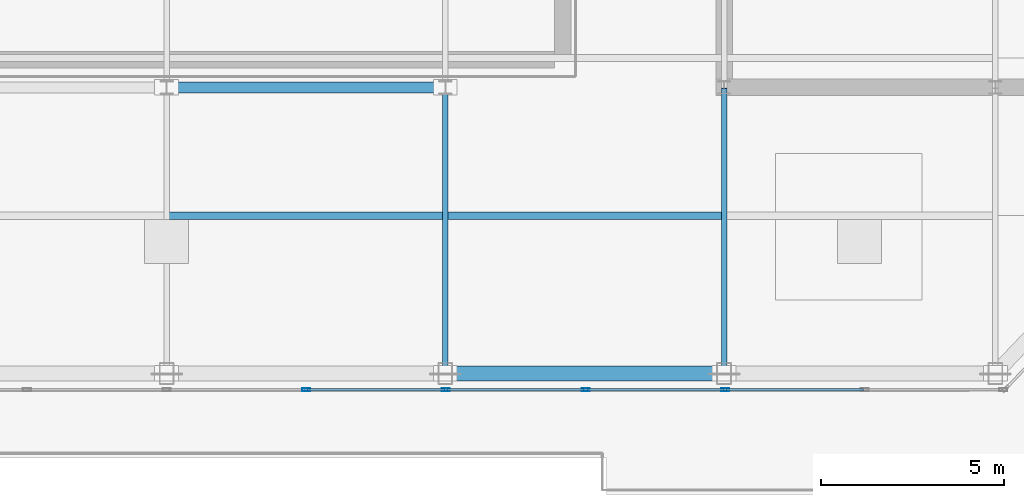
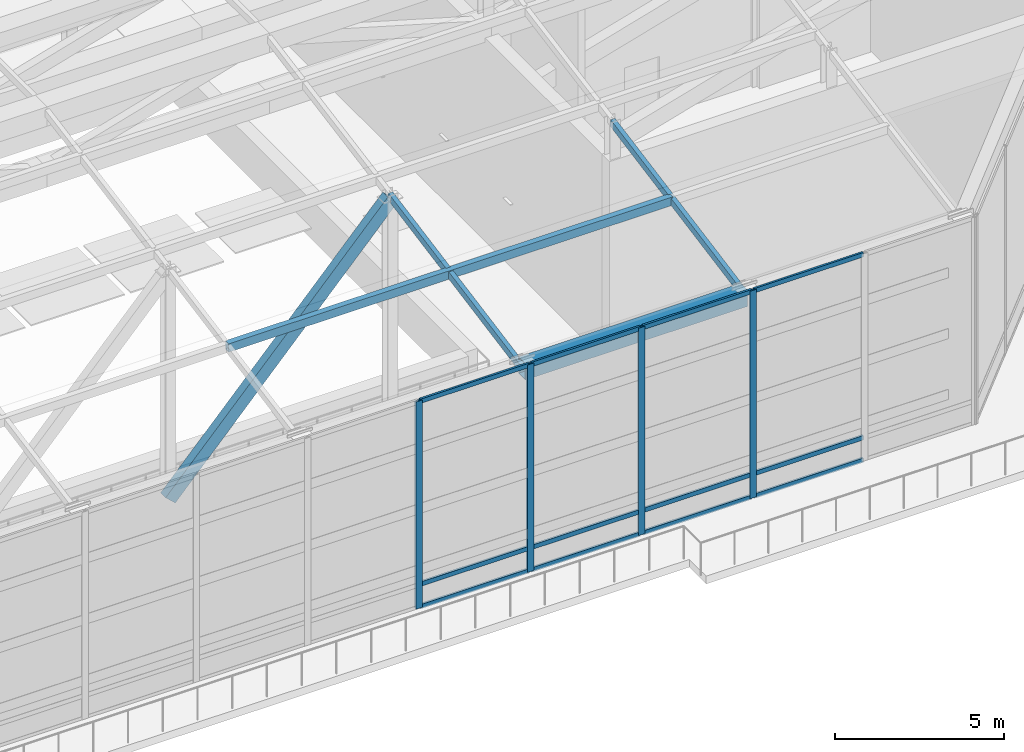
# One storey, part 10 of 25: 20 members, 1 beam, 1 element without a shape of its own.
"""IFC4 building model written with IfcOpenShell, lengths in metres."""

from ifc_helpers import new_model, si_unit, direction, frame, origin, origin_2d, place, context, subcontext, project, spatial, hollow_rectangle, extrude, source, transform, mapped, material, layer, layer_set, material_profile, profile_set, type_object, type_shapes, element, aggregate, save


model = new_model("IFC4")

# Units and contexts
model_context = context("Model", 3, precision=1e-05, world=origin(), true_north=direction((0.0, 1.0)))
body_context = subcontext(model_context, "Body", "Model", "MODEL_VIEW")
ifc_project = project(units=[si_unit("LENGTHUNIT", "METRE"), si_unit("AREAUNIT", "SQUARE_METRE"), si_unit("VOLUMEUNIT", "CUBIC_METRE"), si_unit("PLANEANGLEUNIT", "RADIAN"), si_unit("MASSUNIT", "GRAM", prefix="KILO")], contexts=[model_context])

# Site, building, storey
site_placement = place(None, origin())
site = spatial("IfcSite", under=ifc_project, at=site_placement, CompositionType="ELEMENT")
building_placement = place(site_placement, origin())
building = spatial("IfcBuilding", under=site, at=building_placement, Name="Haelvirn Gate Laboratories", CompositionType="ELEMENT")
storey_placement = place(building_placement, frame((0.0, 0.0, 337.800048828125)))
storey = spatial("IfcBuildingStorey", under=building, at=storey_placement, Name="RF", CompositionType="ELEMENT", Elevation=337.800048828125)

# Beam
ifc_material_1 = material(Name="Steel SM420", Category="steel")
ifc_material_profile_1 = material_profile(ifc_material_1, hollow_rectangle(XDim=0.39990234375, YDim=0.60009765625, WallThickness=0.02490234375, at=origin_2d()), Name="BOX-600x400x25")
ifc_profile_set_1 = profile_set([ifc_material_profile_1], Name="Steel SM420")
beam_type = type_object("IfcBeamType", Name="BM-CROWN-CAP", PredefinedType="USERDEFINED", material=ifc_profile_set_1)
shared_shape_1 = source(origin(), body_context, "Body", "SweptSolid", [
    extrude(hollow_rectangle(XDim=0.39990234375, YDim=0.60009765625, WallThickness=0.02490234375, at=origin_2d()), origin(), (0.0, 0.0, 1.0), 7.60009765625),
])
type_shapes(beam_type, [shared_shape_1])
beam_placement = place(storey_placement, frame((45.0, 7.0, 7.050048828125), z_axis=(1.0, 0.0, 0.0), x_axis=(0.0, 1.0, 0.0)))
element("IfcBeam", 1, at=beam_placement, inside=storey, type_object=beam_type, Name="RF Crown Frame Cap Ring Beam S5-S6", ObjectType="CROWN FRAME", PredefinedType="USERDEFINED", context=body_context, shape_type="MappedRepresentation", body=[
    mapped(shared_shape_1, transform((0.0, 0.0, 0.0), scale=1.0)),
])

# Members
ifc_material_profile_2 = material_profile(ifc_material_1, hollow_rectangle(XDim=0.300048828125, YDim=0.449951171875, WallThickness=0.02001953125, at=origin_2d()), Name="BOX-450x300x20")
ifc_profile_set_2 = profile_set([ifc_material_profile_2], Name="Steel SM420")
member_type_1 = type_object("IfcMemberType", Name="MEM-CROWN-BR", PredefinedType="USERDEFINED", material=ifc_profile_set_2)
shared_shape_2 = source(origin(), body_context, "Body", "SweptSolid", [
    extrude(hollow_rectangle(XDim=0.300048828125, YDim=0.449951171875, WallThickness=0.02001953125, at=origin_2d()), origin(), (0.0, 0.0, 1.0), 11.188720703125),
])
type_shapes(member_type_1, [shared_shape_2])
member_1_placement = place(storey_placement, frame((37.39990234375, 14.800048828125, 0.300048828125), z_axis=(0.679270956852, 0.0, 0.733887571211), x_axis=(0.0, 1.0, 0.0)))
element("IfcMember", 2, at=member_1_placement, inside=storey, type_object=member_type_1, Name="RF Crown Frame Interior Brace S2", ObjectType="CROWN FRAME", PredefinedType="USERDEFINED", context=body_context, shape_type="MappedRepresentation", body=[
    mapped(shared_shape_2, transform((0.0, 0.0, 0.0), scale=1.0)),
])
ifc_material_2 = material(Name="Steel SM355", Category="steel")
ifc_material_profile_3 = material_profile(ifc_material_2, hollow_rectangle(XDim=0.14990234375, YDim=0.25, WallThickness=0.010009765625, at=origin_2d()), Name="RHS-250x150x10")
ifc_profile_set_3 = profile_set([ifc_material_profile_3], Name="Steel SM355")
member_type_2 = type_object("IfcMemberType", Name="MEM-CROWN-RAF", PredefinedType="RAFTER", material=ifc_profile_set_3)
shared_shape_3 = source(origin(), body_context, "Body", "SweptSolid", [
    extrude(hollow_rectangle(XDim=0.14990234375, YDim=0.25, WallThickness=0.010009765625, at=origin_2d()), origin(), (0.0, 0.0, 1.0), 7.9375),
])
type_shapes(member_type_2, [shared_shape_3])
for number, where, z_axis, x_axis, name in (
    (3, (45.0, 7.0, 7.099853515625), (0.0, 0.982673493777, 0.185345096044), (-1.0, 0.0, 0.0), "RF Vault Rafter Chord X45.0-1"),
    (4, (52.60009765625, 7.0, 7.099853515625), (0.0, 0.982673493777, 0.185345096044), (-1.0, 0.0, 0.0), "RF Vault Rafter Chord X52.6-1"),
):
    element("IfcMember", number, at=place(storey_placement, frame(where, z_axis=z_axis, x_axis=x_axis)), inside=storey, type_object=member_type_2, Name=name, PredefinedType="RAFTER", context=body_context, shape_type="MappedRepresentation", body=[
        mapped(shared_shape_3, transform((0.0, 0.0, 0.0), scale=1.0)),
    ])
ifc_material_profile_4 = material_profile(ifc_material_2, hollow_rectangle(XDim=0.199951171875, YDim=0.300048828125, WallThickness=0.011962890625, at=origin_2d()), Name="RHS-300x200x12")
ifc_profile_set_4 = profile_set([ifc_material_profile_4], Name="Steel SM355")
member_type_3 = type_object("IfcMemberType", Name="MEM-ROOF-PURL", PredefinedType="PURLIN", material=ifc_profile_set_4)
shared_shape_4 = source(origin(), body_context, "Body", "SweptSolid", [
    extrude(hollow_rectangle(XDim=0.199951171875, YDim=0.300048828125, WallThickness=0.011962890625, at=origin_2d()), origin(), (0.0, 0.0, 1.0), 15.2001953125),
])
type_shapes(member_type_3, [shared_shape_4])
member_2_placement = place(storey_placement, frame((37.39990234375, 11.300048828125, 7.89990234375), z_axis=(1.0, 0.0, 0.0), x_axis=(0.0, 1.0, 0.0)))
element("IfcMember", 5, at=member_2_placement, inside=storey, type_object=member_type_3, Name="RF Vault Purlin 1 (37.4-52.6)", PredefinedType="PURLIN", context=body_context, shape_type="MappedRepresentation", body=[
    mapped(shared_shape_4, transform((0.0, 0.0, 0.0), scale=1.0)),
])

# Curtain wall, members
ifc_material_3 = material(Name="Anodised bronze unitised aluminium & triple low-E glass", Category="aluminium")
ifc_layer = layer(ifc_material_3, 0.19189453125, Name="CW-SYS-6")
ifc_layer_set = layer_set([ifc_layer], Name="Anodised bronze unitised aluminium & triple low-E glass")
curtain_wall_type = type_object("IfcCurtainWallType", Name="CW-SYS-6", PredefinedType="NOTDEFINED", material=ifc_layer_set)
curtain_wall_placement = place(storey_placement, origin())
curtain_wall = element("IfcCurtainWall", 6, at=curtain_wall_placement, inside=storey, type_object=curtain_wall_type, Name="RF Unitised Curtain Wall CW-RF-RING-00", PredefinedType="NOTDEFINED")
ifc_material_4 = material(Name="Extruded aluminium 6063-T6 (anodised bronze)", Category="aluminium")
ifc_material_profile_5 = material_profile(ifc_material_4, hollow_rectangle(XDim=0.080078125, YDim=0.219970703125, WallThickness=0.006103515625, at=origin_2d()), Name="CWM-220x80x6")
ifc_profile_set_5 = profile_set([ifc_material_profile_5], Name="Extruded aluminium 6063-T6 (anodised bronze)")
member_type_4 = type_object("IfcMemberType", Name="CWM-T220", PredefinedType="MULLION", material=ifc_profile_set_5)
shared_shape_5 = source(origin(), body_context, "Body", "SweptSolid", [
    extrude(hollow_rectangle(XDim=0.080078125, YDim=0.219970703125, WallThickness=0.006103515625, at=origin_2d()), origin(), (0.0, 0.0, 1.0), 7.5),
])
type_shapes(member_type_4, [shared_shape_5])
member_3_placement = place(storey_placement, frame((41.208251953125, 6.550048828125, 0.0), z_axis=(0.0, 0.0, 1.0), x_axis=(0.0, 1.0, 0.0)))
member_3 = element("IfcMember", 7, at=member_3_placement, type_object=member_type_4, Name="CW6 mullion 8", PredefinedType="MULLION", context=body_context, shape_type="MappedRepresentation", body=[
    mapped(shared_shape_5, transform((0.0, 0.0, 0.0), scale=1.0)),
])
member_4_placement = place(storey_placement, frame((45.0166015625, 6.550048828125, 0.0), z_axis=(0.0, 0.0, 1.0), x_axis=(0.0, 1.0, 0.0)))
member_4 = element("IfcMember", 8, at=member_4_placement, type_object=member_type_4, Name="CW6 mullion 9", PredefinedType="MULLION", context=body_context, shape_type="MappedRepresentation", body=[
    mapped(shared_shape_5, transform((0.0, 0.0, 0.0), scale=1.0)),
])
member_5_placement = place(storey_placement, frame((48.824951171875, 6.550048828125, 0.0), z_axis=(0.0, 0.0, 1.0), x_axis=(0.0, 1.0, 0.0)))
member_5 = element("IfcMember", 9, at=member_5_placement, type_object=member_type_4, Name="CW6 mullion 10", PredefinedType="MULLION", context=body_context, shape_type="MappedRepresentation", body=[
    mapped(shared_shape_5, transform((0.0, 0.0, 0.0), scale=1.0)),
])
member_6_placement = place(storey_placement, frame((52.63330078125, 6.550048828125, 0.0), z_axis=(0.0, 0.0, 1.0), x_axis=(0.0, 1.0, 0.0)))
member_6 = element("IfcMember", 10, at=member_6_placement, type_object=member_type_4, Name="CW6 mullion 11", PredefinedType="MULLION", context=body_context, shape_type="MappedRepresentation", body=[
    mapped(shared_shape_5, transform((0.0, 0.0, 0.0), scale=1.0)),
])
ifc_material_profile_6 = material_profile(ifc_material_4, hollow_rectangle(XDim=0.070068359375, YDim=0.159912109375, WallThickness=0.0048828125, at=origin_2d()), Name="CWT-160x70x5")
ifc_profile_set_6 = profile_set([ifc_material_profile_6], Name="Extruded aluminium 6063-T6 (anodised bronze)")
member_type_5 = type_object("IfcMemberType", Name="CWT-T160", PredefinedType="USERDEFINED", material=ifc_profile_set_6)
shared_shape_6 = source(origin(), body_context, "Body", "SweptSolid", [
    extrude(hollow_rectangle(XDim=0.070068359375, YDim=0.159912109375, WallThickness=0.0048828125, at=origin_2d()), origin(), (0.0, 0.0, 1.0), 3.728271484375),
])
type_shapes(member_type_5, [shared_shape_6])
member_7_placement = place(storey_placement, frame((41.248291015625, 6.550048828125, 0.034912109375), z_axis=(1.0, 0.0, 0.0), x_axis=(0.0, 1.0, 0.0)))
member_7 = element("IfcMember", 11, at=member_7_placement, type_object=member_type_5, Name="CW6 transom 8.1", ObjectType="TRANSOM", PredefinedType="USERDEFINED", context=body_context, shape_type="MappedRepresentation", body=[
    mapped(shared_shape_6, transform((0.0, 0.0, 0.0), scale=1.0)),
])
member_8_placement = place(storey_placement, frame((41.248291015625, 6.550048828125, 0.849853515625), z_axis=(1.0, 0.0, 0.0), x_axis=(0.0, 1.0, 0.0)))
member_8 = element("IfcMember", 12, at=member_8_placement, type_object=member_type_5, Name="CW6 transom 8.2", ObjectType="TRANSOM", PredefinedType="USERDEFINED", context=body_context, shape_type="MappedRepresentation", body=[
    mapped(shared_shape_6, transform((0.0, 0.0, 0.0), scale=1.0)),
])
member_9_placement = place(storey_placement, frame((41.248291015625, 6.550048828125, 7.46484375), z_axis=(1.0, 0.0, 0.0), x_axis=(0.0, 1.0, 0.0)))
member_9 = element("IfcMember", 13, at=member_9_placement, type_object=member_type_5, Name="CW6 transom 8.3", ObjectType="TRANSOM", PredefinedType="USERDEFINED", context=body_context, shape_type="MappedRepresentation", body=[
    mapped(shared_shape_6, transform((0.0, 0.0, 0.0), scale=1.0)),
])
member_10_placement = place(storey_placement, frame((45.056640625, 6.550048828125, 0.034912109375), z_axis=(1.0, 0.0, 0.0), x_axis=(0.0, 1.0, 0.0)))
member_10 = element("IfcMember", 14, at=member_10_placement, type_object=member_type_5, Name="CW6 transom 9.1", ObjectType="TRANSOM", PredefinedType="USERDEFINED", context=body_context, shape_type="MappedRepresentation", body=[
    mapped(shared_shape_6, transform((0.0, 0.0, 0.0), scale=1.0)),
])
member_11_placement = place(storey_placement, frame((45.056640625, 6.550048828125, 0.849853515625), z_axis=(1.0, 0.0, 0.0), x_axis=(0.0, 1.0, 0.0)))
member_11 = element("IfcMember", 15, at=member_11_placement, type_object=member_type_5, Name="CW6 transom 9.2", ObjectType="TRANSOM", PredefinedType="USERDEFINED", context=body_context, shape_type="MappedRepresentation", body=[
    mapped(shared_shape_6, transform((0.0, 0.0, 0.0), scale=1.0)),
])
member_12_placement = place(storey_placement, frame((45.056640625, 6.550048828125, 7.46484375), z_axis=(1.0, 0.0, 0.0), x_axis=(0.0, 1.0, 0.0)))
member_12 = element("IfcMember", 16, at=member_12_placement, type_object=member_type_5, Name="CW6 transom 9.3", ObjectType="TRANSOM", PredefinedType="USERDEFINED", context=body_context, shape_type="MappedRepresentation", body=[
    mapped(shared_shape_6, transform((0.0, 0.0, 0.0), scale=1.0)),
])
member_13_placement = place(storey_placement, frame((48.864990234375, 6.550048828125, 0.034912109375), z_axis=(1.0, 0.0, 0.0), x_axis=(0.0, 1.0, 0.0)))
member_13 = element("IfcMember", 17, at=member_13_placement, type_object=member_type_5, Name="CW6 transom 10.1", ObjectType="TRANSOM", PredefinedType="USERDEFINED", context=body_context, shape_type="MappedRepresentation", body=[
    mapped(shared_shape_6, transform((0.0, 0.0, 0.0), scale=1.0)),
])
member_14_placement = place(storey_placement, frame((48.864990234375, 6.550048828125, 0.849853515625), z_axis=(1.0, 0.0, 0.0), x_axis=(0.0, 1.0, 0.0)))
member_14 = element("IfcMember", 18, at=member_14_placement, type_object=member_type_5, Name="CW6 transom 10.2", ObjectType="TRANSOM", PredefinedType="USERDEFINED", context=body_context, shape_type="MappedRepresentation", body=[
    mapped(shared_shape_6, transform((0.0, 0.0, 0.0), scale=1.0)),
])
member_15_placement = place(storey_placement, frame((48.864990234375, 6.550048828125, 7.46484375), z_axis=(1.0, 0.0, 0.0), x_axis=(0.0, 1.0, 0.0)))
member_15 = element("IfcMember", 19, at=member_15_placement, type_object=member_type_5, Name="CW6 transom 10.3", ObjectType="TRANSOM", PredefinedType="USERDEFINED", context=body_context, shape_type="MappedRepresentation", body=[
    mapped(shared_shape_6, transform((0.0, 0.0, 0.0), scale=1.0)),
])
member_16_placement = place(storey_placement, frame((52.67333984375, 6.550048828125, 0.034912109375), z_axis=(1.0, 0.0, 0.0), x_axis=(0.0, 1.0, 0.0)))
member_16 = element("IfcMember", 20, at=member_16_placement, type_object=member_type_5, Name="CW6 transom 11.1", ObjectType="TRANSOM", PredefinedType="USERDEFINED", context=body_context, shape_type="MappedRepresentation", body=[
    mapped(shared_shape_6, transform((0.0, 0.0, 0.0), scale=1.0)),
])
member_17_placement = place(storey_placement, frame((52.67333984375, 6.550048828125, 0.849853515625), z_axis=(1.0, 0.0, 0.0), x_axis=(0.0, 1.0, 0.0)))
member_17 = element("IfcMember", 21, at=member_17_placement, type_object=member_type_5, Name="CW6 transom 11.2", ObjectType="TRANSOM", PredefinedType="USERDEFINED", context=body_context, shape_type="MappedRepresentation", body=[
    mapped(shared_shape_6, transform((0.0, 0.0, 0.0), scale=1.0)),
])
member_18_placement = place(storey_placement, frame((52.67333984375, 6.550048828125, 7.46484375), z_axis=(1.0, 0.0, 0.0), x_axis=(0.0, 1.0, 0.0)))
member_18 = element("IfcMember", 22, at=member_18_placement, type_object=member_type_5, Name="CW6 transom 11.3", ObjectType="TRANSOM", PredefinedType="USERDEFINED", context=body_context, shape_type="MappedRepresentation", body=[
    mapped(shared_shape_6, transform((0.0, 0.0, 0.0), scale=1.0)),
])
aggregate(curtain_wall, [member_3, member_4, member_5, member_6, member_7, member_8, member_9, member_10, member_11, member_12, member_13, member_14, member_15, member_16, member_17, member_18])

save(model, "model.ifc")
